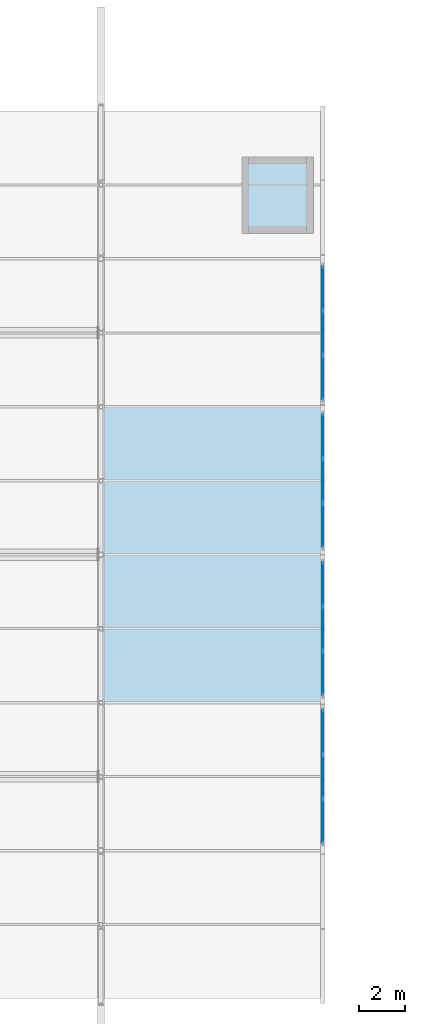
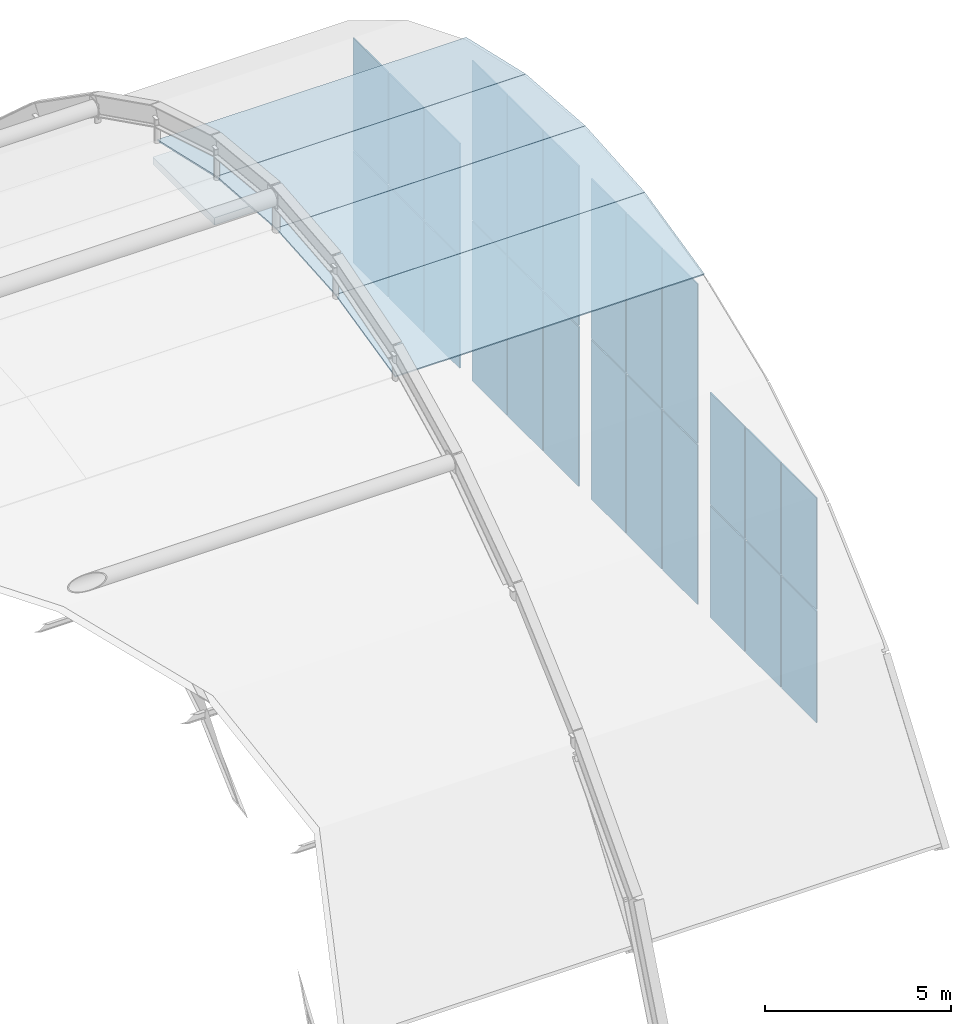
# One storey, part 109 of 126: 28 plates, 1 slab, 4 elements without a shape of their own.
"""IFC4 building model written with IfcOpenShell, lengths in metres."""

import ifcopenshell
import ifcopenshell.guid

model = None  # the IFC model being written
_history = None  # IfcOwnerHistory: only IFC2X3 demands one
_inside = {}  # id of a spatial element -> (the spatial element, [elements in it])
_under = {}  # id of a project, library or spatial element -> (it, [spatial elements below it])
_declared = {}  # id of a project -> (the project, [libraries it declares])
_typed = {}  # id of a type object -> (the type object, [elements of that type])
_made_of = {}  # id of a material, layer set ... -> (it, [elements and type objects made of it])


def new_model(schema):
    """Start an empty IFC model of exactly this schema.

    Asked for "IFC4X3", IfcOpenShell would pick the latest addendum, in which some entities
    have other attributes; the version numbers below select the first issue.
    IFC2X3 requires an IfcOwnerHistory on every rooted entity: one is made here for all.
    """
    global model, _history
    if schema == "IFC4X3":
        model = ifcopenshell.file(schema_version=(4, 3, 0, 0))
    else:
        model = ifcopenshell.file(schema=schema)
    _inside.clear()
    _under.clear()
    _declared.clear()
    _typed.clear()
    _made_of.clear()
    _history = None
    if model.schema == "IFC2X3":
        org = make("IfcOrganization", Name="unknown")
        user = make(
            "IfcPersonAndOrganization",
            ThePerson=make("IfcPerson", FamilyName="unknown"),
            TheOrganization=org,
        )
        app = make(
            "IfcApplication",
            ApplicationDeveloper=org,
            Version="unknown",
            ApplicationFullName="unknown",
            ApplicationIdentifier="unknown",
        )
        _history = make(
            "IfcOwnerHistory",
            OwningUser=user,
            OwningApplication=app,
            ChangeAction="ADDED",
            CreationDate=0,
        )
    return model


def make(cls, **values):
    """One entity of the class cls with the attributes given. An attribute that is None is left unset."""
    return model.create_entity(
        cls, **{name: value for name, value in values.items() if value is not None}
    )


def rooted(cls, **values):
    """An entity with a GlobalId (a new one), such as an element, a storey or a relation."""
    return make(cls, GlobalId=ifcopenshell.guid.new(), OwnerHistory=_history, **values)


def si_unit(unit_type, name, prefix=None):
    """IfcSIUnit, for example si_unit("LENGTHUNIT", "METRE", prefix="MILLI")."""
    return make("IfcSIUnit", UnitType=unit_type, Prefix=prefix, Name=name)


def assignment(units):
    """IfcUnitAssignment: the units of a project."""
    return None if units is None else make("IfcUnitAssignment", Units=units)


def point(xyz):
    """IfcCartesianPoint."""
    return None if xyz is None else make("IfcCartesianPoint", Coordinates=xyz)


def direction(xyz):
    """IfcDirection."""
    return None if xyz is None else make("IfcDirection", DirectionRatios=xyz)


def frame(location, z_axis=None, x_axis=None):
    """IfcAxis2Placement3D, a coordinate frame: its origin and axes. An axis left out is left unset."""
    return make(
        "IfcAxis2Placement3D",
        Location=point(location),
        Axis=direction(z_axis),
        RefDirection=direction(x_axis),
    )


def frame_2d(location, x_axis=None):
    """IfcAxis2Placement2D, a coordinate frame in the plane: its origin and x axis."""
    return make(
        "IfcAxis2Placement2D", Location=point(location), RefDirection=direction(x_axis)
    )


def origin():
    """The frame at (0, 0, 0) with its axes left unset."""
    return frame((0.0, 0.0, 0.0))


def origin_2d():
    """The frame at (0, 0) in the plane with its x axis left unset."""
    return frame_2d((0.0, 0.0))


def place(relative_to, where):
    """IfcLocalPlacement: puts the frame where relative to a parent placement (None: the world)."""
    return make(
        "IfcLocalPlacement", PlacementRelTo=relative_to, RelativePlacement=where
    )


def context(
    kind, dimensions, precision=None, world=None, true_north=None, identifier=None
):
    """IfcGeometricRepresentationContext, for example the 3D "Model" context."""
    return make(
        "IfcGeometricRepresentationContext",
        ContextIdentifier=identifier,
        ContextType=kind,
        CoordinateSpaceDimension=dimensions,
        Precision=precision,
        WorldCoordinateSystem=world,
        TrueNorth=true_north,
    )


def subcontext(parent, identifier, kind, view, scale=None):
    """IfcGeometricRepresentationSubContext, for example "Body" below "Model"."""
    return make(
        "IfcGeometricRepresentationSubContext",
        ContextIdentifier=identifier,
        ContextType=kind,
        ParentContext=parent,
        TargetScale=scale,
        TargetView=view,
    )


def project(units=None, contexts=None):
    """IfcProject with its units and contexts."""
    return rooted(
        "IfcProject",
        Name="project",
        RepresentationContexts=contexts,
        UnitsInContext=assignment(units),
    )


def spatial(cls, under=None, at=None, **own):
    """A site, building, storey or space (cls), placed at a placement, below another one or the project."""
    s = rooted(cls, ObjectPlacement=at, **own)
    if under is not None:
        _under.setdefault(under.id(), (under, []))[1].append(s)
    return s


def polyline(points):
    """IfcPolyline through the points."""
    return make("IfcPolyline", Points=[point(p) for p in points])


def profile(cls, at=None, kind="AREA", **sizes):
    """A parametric profile (cls). Its sizes go by their IFC names, for example OverallWidth=200.0."""
    return make(cls, ProfileType=kind, Position=at, **sizes)


def rectangle(**sizes):
    """IfcRectangleProfileDef."""
    return profile("IfcRectangleProfileDef", **sizes)


def outline(outer, holes=None, kind="AREA"):
    """IfcArbitraryClosedProfileDef: a profile drawn as a closed curve; with holes, ...WithVoids."""
    if holes is None:
        return make("IfcArbitraryClosedProfileDef", ProfileType=kind, OuterCurve=outer)
    return make(
        "IfcArbitraryProfileDefWithVoids",
        ProfileType=kind,
        OuterCurve=outer,
        InnerCurves=holes,
    )


def extrude(swept, where, along, depth):
    """IfcExtrudedAreaSolid: the profile swept, set in the frame where, extruded along a direction by depth."""
    return make(
        "IfcExtrudedAreaSolid",
        SweptArea=swept,
        Position=where,
        ExtrudedDirection=direction(along),
        Depth=depth,
    )


def shape(context_of_items, identifier, shape_type, items):
    """IfcShapeRepresentation: the items that make up one representation, for example the "Body"."""
    return make(
        "IfcShapeRepresentation",
        ContextOfItems=context_of_items,
        RepresentationIdentifier=identifier,
        RepresentationType=shape_type,
        Items=items,
    )


def material(Name=None, Category=None):
    """IfcMaterial."""
    return make("IfcMaterial", Name=Name, Category=Category)


def layer(
    of_material, thickness, ventilated=None, Name=None, Category=None, Priority=None
):
    """IfcMaterialLayer: one layer of a wall or slab, of a material (None: an air gap)."""
    return make(
        "IfcMaterialLayer",
        Material=of_material,
        LayerThickness=thickness,
        IsVentilated=ventilated,
        Name=Name,
        Category=Category,
        Priority=Priority,
    )


def layer_set(layers, Name=None):
    """IfcMaterialLayerSet."""
    return make("IfcMaterialLayerSet", MaterialLayers=layers, LayerSetName=Name)


def made_of(thing, what):
    """Note that an element or type object is made of a material, layer set ...; save() writes the relation."""
    if what is not None:
        _made_of.setdefault(what.id(), (what, []))[1].append(thing)
    return thing


def type_object(cls, material=None, **own):
    """A type object (cls), such as IfcWallType, which elements share."""
    return made_of(rooted(cls, **own), material)


def element(
    cls,
    number,
    at=None,
    inside=None,
    cuts=None,
    type_object=None,
    material=None,
    context=None,
    identifier="Body",
    shape_type=None,
    held_by="IfcProductDefinitionShape",
    body=None,
    shapes=None,
    **own,
):
    """One element of the class cls, such as IfcWall. Its Tag is "e" and its number.

    at: its placement. inside: the storey or other place that contains it. cuts: it is an
    opening in that element (IfcRelVoidsElement). A single representation is given by context,
    identifier, shape_type and body (its items); several are given by shapes. held_by: the class
    of the entity that holds the representations. save() writes the other relations.
    """
    e = rooted(cls, Tag="e%d" % number, ObjectPlacement=at, **own)
    if body is not None:
        shapes = [shape(context, identifier, shape_type, body)]
    if shapes is not None:
        e.Representation = make(held_by, Representations=shapes)
    if inside is not None:
        _inside.setdefault(inside.id(), (inside, []))[1].append(e)
    if cuts is not None:
        rooted(
            "IfcRelVoidsElement", RelatingBuildingElement=cuts, RelatedOpeningElement=e
        )
    if type_object is not None:
        _typed.setdefault(type_object.id(), (type_object, []))[1].append(e)
    return made_of(e, material)


def aggregate(whole, parts):
    """IfcRelAggregates: a whole, such as a stair, and the parts it consists of."""
    return rooted("IfcRelAggregates", RelatingObject=whole, RelatedObjects=parts)


def save(model, path):
    """Write the relations noted so far, then the file.

    IfcRelAggregates (storeys below a building ...), IfcRelContainedInSpatialStructure (elements
    in a storey), IfcRelDefinesByType, IfcRelAssociatesMaterial and IfcRelDeclares: one each for
    every whole, place, type object, material and project.
    """
    for whole, parts in _under.values():
        aggregate(whole, parts)
    for where, things in _inside.values():
        rooted(
            "IfcRelContainedInSpatialStructure",
            RelatedElements=things,
            RelatingStructure=where,
        )
    for kind, things in _typed.values():
        rooted("IfcRelDefinesByType", RelatedObjects=things, RelatingType=kind)
    for what, things in _made_of.values():
        rooted("IfcRelAssociatesMaterial", RelatedObjects=things, RelatingMaterial=what)
    for by, libraries in _declared.values():
        rooted("IfcRelDeclares", RelatingContext=by, RelatedDefinitions=libraries)
    model.write(path)


model = new_model("IFC4")

# Units and contexts
model_context = context("Model", 3, precision=1e-05, world=origin(), true_north=direction((0.0, 1.0)))
body_context = subcontext(model_context, "Body", "Model", "MODEL_VIEW")
ifc_project = project(units=[si_unit("LENGTHUNIT", "METRE"), si_unit("AREAUNIT", "SQUARE_METRE"), si_unit("VOLUMEUNIT", "CUBIC_METRE"), si_unit("PLANEANGLEUNIT", "RADIAN"), si_unit("MASSUNIT", "GRAM", prefix="KILO")], contexts=[model_context])

# Site, building, storey
site_placement = place(None, origin())
site = spatial("IfcSite", under=ifc_project, at=site_placement, CompositionType="ELEMENT")
building_placement = place(site_placement, origin())
building = spatial("IfcBuilding", under=site, at=building_placement, Name="Coralgate Yard Interchange", CompositionType="ELEMENT")
storey_placement = place(building_placement, frame((0.0, 0.0, 10.5)))
storey = spatial("IfcBuildingStorey", under=building, at=storey_placement, Name="L02", CompositionType="ELEMENT", Elevation=10.5)

# Curtain wall, plates
ifc_material_1 = material(Name="Anodised coastal aluminium and solar-control low-E glass", Category="aluminium")
curtain_wall_type_1 = type_object("IfcCurtainWallType", Name="CW-CW-VLT-2", PredefinedType="NOTDEFINED", material=ifc_material_1)
curtain_wall_1_placement = place(storey_placement, origin())
curtain_wall_1 = element("IfcCurtainWall", 1, at=curtain_wall_1_placement, inside=storey, type_object=curtain_wall_type_1, Name="L02 unitised curtain wall CW-VAULT-E-2", PredefinedType="NOTDEFINED")
ifc_material_2 = material(Name="Solar-control double-glazed low-E glass unit", Category="glass")
ifc_layer_1 = layer(ifc_material_2, 0.0419921875)
ifc_layer_set_1 = layer_set([ifc_layer_1], Name="Solar-control double-glazed low-E glass unit")
plate_type_1 = type_object("IfcPlateType", Name="PLT-CP-42", PredefinedType="CURTAIN_PANEL", material=ifc_layer_set_1)
plate_1_placement = place(storey_placement, frame((134.39990234375, 49.9267578125, 0.02490234375), z_axis=(0.0, 0.0, 1.0), x_axis=(0.0, -1.0, 0.0)))
plate_1 = element("IfcPlate", 2, at=plate_1_placement, type_object=plate_type_1, Name="CW-VAULT-E-2 solar-control glazing panel 1-1", PredefinedType="CURTAIN_PANEL", context=body_context, shape_type="SweptSolid", body=[
    extrude(rectangle(XDim=1.876708984375, YDim=0.0419921875, at=origin_2d()), origin(), (0.0, 0.0, 1.0), 3.666015625),
])
plate_2_placement = place(storey_placement, frame((134.39990234375, 49.9267578125, 3.740966796875), z_axis=(0.0, 0.0, 1.0), x_axis=(0.0, -1.0, 0.0)))
plate_2 = element("IfcPlate", 3, at=plate_2_placement, type_object=plate_type_1, Name="CW-VAULT-E-2 solar-control glazing panel 1-2", PredefinedType="CURTAIN_PANEL", context=body_context, shape_type="SweptSolid", body=[
    extrude(rectangle(XDim=1.876708984375, YDim=0.0419921875, at=origin_2d()), origin(), (0.0, 0.0, 1.0), 3.666015625),
])
plate_3_placement = place(storey_placement, frame((134.39990234375, 48.0, 0.02490234375), z_axis=(0.0, 0.0, 1.0), x_axis=(0.0, -1.0, 0.0)))
plate_3 = element("IfcPlate", 4, at=plate_3_placement, type_object=plate_type_1, Name="CW-VAULT-E-2 solar-control glazing panel 2-1", PredefinedType="CURTAIN_PANEL", context=body_context, shape_type="SweptSolid", body=[
    extrude(rectangle(XDim=1.876708984375, YDim=0.0419921875, at=origin_2d()), origin(), (0.0, 0.0, 1.0), 3.666015625),
])
plate_4_placement = place(storey_placement, frame((134.39990234375, 48.0, 3.740966796875), z_axis=(0.0, 0.0, 1.0), x_axis=(0.0, -1.0, 0.0)))
plate_4 = element("IfcPlate", 5, at=plate_4_placement, type_object=plate_type_1, Name="CW-VAULT-E-2 solar-control glazing panel 2-2", PredefinedType="CURTAIN_PANEL", context=body_context, shape_type="SweptSolid", body=[
    extrude(rectangle(XDim=1.876708984375, YDim=0.0419921875, at=origin_2d()), origin(), (0.0, 0.0, 1.0), 3.666015625),
])
plate_5_placement = place(storey_placement, frame((134.39990234375, 46.0732421875, 0.02490234375), z_axis=(0.0, 0.0, 1.0), x_axis=(0.0, -1.0, 0.0)))
plate_5 = element("IfcPlate", 6, at=plate_5_placement, type_object=plate_type_1, Name="CW-VAULT-E-2 solar-control glazing panel 3-1", PredefinedType="CURTAIN_PANEL", context=body_context, shape_type="SweptSolid", body=[
    extrude(rectangle(XDim=1.876708984375, YDim=0.0419921875, at=origin_2d()), origin(), (0.0, 0.0, 1.0), 3.666015625),
])
plate_6_placement = place(storey_placement, frame((134.39990234375, 46.0732421875, 3.740966796875), z_axis=(0.0, 0.0, 1.0), x_axis=(0.0, -1.0, 0.0)))
plate_6 = element("IfcPlate", 7, at=plate_6_placement, type_object=plate_type_1, Name="CW-VAULT-E-2 solar-control glazing panel 3-2", PredefinedType="CURTAIN_PANEL", context=body_context, shape_type="SweptSolid", body=[
    extrude(rectangle(XDim=1.876708984375, YDim=0.0419921875, at=origin_2d()), origin(), (0.0, 0.0, 1.0), 3.666015625),
])
aggregate(curtain_wall_1, [plate_1, plate_2, plate_3, plate_4, plate_5, plate_6])

curtain_wall_type_2 = type_object("IfcCurtainWallType", Name="CW-CW-VLT-3", PredefinedType="NOTDEFINED", material=ifc_material_1)
curtain_wall_2_placement = place(storey_placement, origin())
curtain_wall_2 = element("IfcCurtainWall", 8, at=curtain_wall_2_placement, inside=storey, type_object=curtain_wall_type_2, Name="L02 unitised curtain wall CW-VAULT-E-3", PredefinedType="NOTDEFINED")
plate_7_placement = place(storey_placement, frame((134.39990234375, 56.32666015625, 0.02490234375), z_axis=(0.0, 0.0, 1.0), x_axis=(0.0, -1.0, 0.0)))
plate_7 = element("IfcPlate", 9, at=plate_7_placement, type_object=plate_type_1, Name="CW-VAULT-E-3 solar-control glazing panel 1-1", PredefinedType="CURTAIN_PANEL", context=body_context, shape_type="SweptSolid", body=[
    extrude(rectangle(XDim=1.876708984375, YDim=0.0419921875, at=origin_2d()), origin(), (0.0, 0.0, 1.0), 5.238037109375),
])
plate_8_placement = place(storey_placement, frame((134.39990234375, 56.32666015625, 5.31298828125), z_axis=(0.0, 0.0, 1.0), x_axis=(0.0, -1.0, 0.0)))
plate_8 = element("IfcPlate", 10, at=plate_8_placement, type_object=plate_type_1, Name="CW-VAULT-E-3 solar-control glazing panel 1-2", PredefinedType="CURTAIN_PANEL", context=body_context, shape_type="SweptSolid", body=[
    extrude(rectangle(XDim=1.876708984375, YDim=0.0419921875, at=origin_2d()), origin(), (0.0, 0.0, 1.0), 5.238037109375),
])
plate_9_placement = place(storey_placement, frame((134.39990234375, 54.39990234375, 0.02490234375), z_axis=(0.0, 0.0, 1.0), x_axis=(0.0, -1.0, 0.0)))
plate_9 = element("IfcPlate", 11, at=plate_9_placement, type_object=plate_type_1, Name="CW-VAULT-E-3 solar-control glazing panel 2-1", PredefinedType="CURTAIN_PANEL", context=body_context, shape_type="SweptSolid", body=[
    extrude(rectangle(XDim=1.876708984375, YDim=0.0419921875, at=origin_2d()), origin(), (0.0, 0.0, 1.0), 5.238037109375),
])
plate_10_placement = place(storey_placement, frame((134.39990234375, 54.39990234375, 5.31298828125), z_axis=(0.0, 0.0, 1.0), x_axis=(0.0, -1.0, 0.0)))
plate_10 = element("IfcPlate", 12, at=plate_10_placement, type_object=plate_type_1, Name="CW-VAULT-E-3 solar-control glazing panel 2-2", PredefinedType="CURTAIN_PANEL", context=body_context, shape_type="SweptSolid", body=[
    extrude(rectangle(XDim=1.876708984375, YDim=0.0419921875, at=origin_2d()), origin(), (0.0, 0.0, 1.0), 5.238037109375),
])
plate_11_placement = place(storey_placement, frame((134.39990234375, 52.473388671875, 0.02490234375), z_axis=(0.0, 0.0, 1.0), x_axis=(0.0, -1.0, 0.0)))
plate_11 = element("IfcPlate", 13, at=plate_11_placement, type_object=plate_type_1, Name="CW-VAULT-E-3 solar-control glazing panel 3-1", PredefinedType="CURTAIN_PANEL", context=body_context, shape_type="SweptSolid", body=[
    extrude(rectangle(XDim=1.876708984375, YDim=0.0419921875, at=origin_2d()), origin(), (0.0, 0.0, 1.0), 5.238037109375),
])
plate_12_placement = place(storey_placement, frame((134.39990234375, 52.473388671875, 5.31298828125), z_axis=(0.0, 0.0, 1.0), x_axis=(0.0, -1.0, 0.0)))
plate_12 = element("IfcPlate", 14, at=plate_12_placement, type_object=plate_type_1, Name="CW-VAULT-E-3 solar-control glazing panel 3-2", PredefinedType="CURTAIN_PANEL", context=body_context, shape_type="SweptSolid", body=[
    extrude(rectangle(XDim=1.876708984375, YDim=0.0419921875, at=origin_2d()), origin(), (0.0, 0.0, 1.0), 5.238037109375),
])
aggregate(curtain_wall_2, [plate_7, plate_8, plate_9, plate_10, plate_11, plate_12])

curtain_wall_3_placement = place(storey_placement, origin())
curtain_wall_3 = element("IfcCurtainWall", 15, at=curtain_wall_3_placement, inside=storey, type_object=curtain_wall_type_2, Name="L02 unitised curtain wall CW-VAULT-E-4", PredefinedType="NOTDEFINED")
plate_13_placement = place(storey_placement, frame((134.39990234375, 62.7265625, 0.02490234375), z_axis=(0.0, 0.0, 1.0), x_axis=(0.0, -1.0, 0.0)))
plate_13 = element("IfcPlate", 16, at=plate_13_placement, type_object=plate_type_1, Name="CW-VAULT-E-4 solar-control glazing panel 1-1", PredefinedType="CURTAIN_PANEL", context=body_context, shape_type="SweptSolid", body=[
    extrude(rectangle(XDim=1.876708984375, YDim=0.0419921875, at=origin_2d()), origin(), (0.0, 0.0, 1.0), 5.238037109375),
])
plate_14_placement = place(storey_placement, frame((134.39990234375, 62.7265625, 5.31298828125), z_axis=(0.0, 0.0, 1.0), x_axis=(0.0, -1.0, 0.0)))
plate_14 = element("IfcPlate", 17, at=plate_14_placement, type_object=plate_type_1, Name="CW-VAULT-E-4 solar-control glazing panel 1-2", PredefinedType="CURTAIN_PANEL", context=body_context, shape_type="SweptSolid", body=[
    extrude(rectangle(XDim=1.876708984375, YDim=0.0419921875, at=origin_2d()), origin(), (0.0, 0.0, 1.0), 5.238037109375),
])
plate_15_placement = place(storey_placement, frame((134.39990234375, 60.800048828125, 0.02490234375), z_axis=(0.0, 0.0, 1.0), x_axis=(0.0, -1.0, 0.0)))
plate_15 = element("IfcPlate", 18, at=plate_15_placement, type_object=plate_type_1, Name="CW-VAULT-E-4 solar-control glazing panel 2-1", PredefinedType="CURTAIN_PANEL", context=body_context, shape_type="SweptSolid", body=[
    extrude(rectangle(XDim=1.876708984375, YDim=0.0419921875, at=origin_2d()), origin(), (0.0, 0.0, 1.0), 5.238037109375),
])
plate_16_placement = place(storey_placement, frame((134.39990234375, 60.800048828125, 5.31298828125), z_axis=(0.0, 0.0, 1.0), x_axis=(0.0, -1.0, 0.0)))
plate_16 = element("IfcPlate", 19, at=plate_16_placement, type_object=plate_type_1, Name="CW-VAULT-E-4 solar-control glazing panel 2-2", PredefinedType="CURTAIN_PANEL", context=body_context, shape_type="SweptSolid", body=[
    extrude(rectangle(XDim=1.876708984375, YDim=0.0419921875, at=origin_2d()), origin(), (0.0, 0.0, 1.0), 5.238037109375),
])
plate_17_placement = place(storey_placement, frame((134.39990234375, 58.873291015625, 0.02490234375), z_axis=(0.0, 0.0, 1.0), x_axis=(0.0, -1.0, 0.0)))
plate_17 = element("IfcPlate", 20, at=plate_17_placement, type_object=plate_type_1, Name="CW-VAULT-E-4 solar-control glazing panel 3-1", PredefinedType="CURTAIN_PANEL", context=body_context, shape_type="SweptSolid", body=[
    extrude(rectangle(XDim=1.876708984375, YDim=0.0419921875, at=origin_2d()), origin(), (0.0, 0.0, 1.0), 5.238037109375),
])
plate_18_placement = place(storey_placement, frame((134.39990234375, 58.873291015625, 5.31298828125), z_axis=(0.0, 0.0, 1.0), x_axis=(0.0, -1.0, 0.0)))
plate_18 = element("IfcPlate", 21, at=plate_18_placement, type_object=plate_type_1, Name="CW-VAULT-E-4 solar-control glazing panel 3-2", PredefinedType="CURTAIN_PANEL", context=body_context, shape_type="SweptSolid", body=[
    extrude(rectangle(XDim=1.876708984375, YDim=0.0419921875, at=origin_2d()), origin(), (0.0, 0.0, 1.0), 5.238037109375),
])
aggregate(curtain_wall_3, [plate_13, plate_14, plate_15, plate_16, plate_17, plate_18])

curtain_wall_4_placement = place(storey_placement, origin())
curtain_wall_4 = element("IfcCurtainWall", 22, at=curtain_wall_4_placement, inside=storey, type_object=curtain_wall_type_1, Name="L02 unitised curtain wall CW-VAULT-E-5", PredefinedType="NOTDEFINED")
plate_19_placement = place(storey_placement, frame((134.39990234375, 69.126708984375, 0.02490234375), z_axis=(0.0, 0.0, 1.0), x_axis=(0.0, -1.0, 0.0)))
plate_19 = element("IfcPlate", 23, at=plate_19_placement, type_object=plate_type_1, Name="CW-VAULT-E-5 solar-control glazing panel 1-1", PredefinedType="CURTAIN_PANEL", context=body_context, shape_type="SweptSolid", body=[
    extrude(rectangle(XDim=1.876708984375, YDim=0.0419921875, at=origin_2d()), origin(), (0.0, 0.0, 1.0), 3.666015625),
])
plate_20_placement = place(storey_placement, frame((134.39990234375, 69.126708984375, 3.740966796875), z_axis=(0.0, 0.0, 1.0), x_axis=(0.0, -1.0, 0.0)))
plate_20 = element("IfcPlate", 24, at=plate_20_placement, type_object=plate_type_1, Name="CW-VAULT-E-5 solar-control glazing panel 1-2", PredefinedType="CURTAIN_PANEL", context=body_context, shape_type="SweptSolid", body=[
    extrude(rectangle(XDim=1.876708984375, YDim=0.0419921875, at=origin_2d()), origin(), (0.0, 0.0, 1.0), 3.666015625),
])
plate_21_placement = place(storey_placement, frame((134.39990234375, 67.199951171875, 0.02490234375), z_axis=(0.0, 0.0, 1.0), x_axis=(0.0, -1.0, 0.0)))
plate_21 = element("IfcPlate", 25, at=plate_21_placement, type_object=plate_type_1, Name="CW-VAULT-E-5 solar-control glazing panel 2-1", PredefinedType="CURTAIN_PANEL", context=body_context, shape_type="SweptSolid", body=[
    extrude(rectangle(XDim=1.876708984375, YDim=0.0419921875, at=origin_2d()), origin(), (0.0, 0.0, 1.0), 3.666015625),
])
plate_22_placement = place(storey_placement, frame((134.39990234375, 67.199951171875, 3.740966796875), z_axis=(0.0, 0.0, 1.0), x_axis=(0.0, -1.0, 0.0)))
plate_22 = element("IfcPlate", 26, at=plate_22_placement, type_object=plate_type_1, Name="CW-VAULT-E-5 solar-control glazing panel 2-2", PredefinedType="CURTAIN_PANEL", context=body_context, shape_type="SweptSolid", body=[
    extrude(rectangle(XDim=1.876708984375, YDim=0.0419921875, at=origin_2d()), origin(), (0.0, 0.0, 1.0), 3.666015625),
])
plate_23_placement = place(storey_placement, frame((134.39990234375, 65.2734375, 0.02490234375), z_axis=(0.0, 0.0, 1.0), x_axis=(0.0, -1.0, 0.0)))
plate_23 = element("IfcPlate", 27, at=plate_23_placement, type_object=plate_type_1, Name="CW-VAULT-E-5 solar-control glazing panel 3-1", PredefinedType="CURTAIN_PANEL", context=body_context, shape_type="SweptSolid", body=[
    extrude(rectangle(XDim=1.876708984375, YDim=0.0419921875, at=origin_2d()), origin(), (0.0, 0.0, 1.0), 3.666015625),
])
plate_24_placement = place(storey_placement, frame((134.39990234375, 65.2734375, 3.740966796875), z_axis=(0.0, 0.0, 1.0), x_axis=(0.0, -1.0, 0.0)))
plate_24 = element("IfcPlate", 28, at=plate_24_placement, type_object=plate_type_1, Name="CW-VAULT-E-5 solar-control glazing panel 3-2", PredefinedType="CURTAIN_PANEL", context=body_context, shape_type="SweptSolid", body=[
    extrude(rectangle(XDim=1.876708984375, YDim=0.0419921875, at=origin_2d()), origin(), (0.0, 0.0, 1.0), 3.666015625),
])
aggregate(curtain_wall_4, [plate_19, plate_20, plate_21, plate_22, plate_23, plate_24])

# Plates
ifc_material_3 = material(Name="Insulated solar-control laminated glass", Category="glass")
ifc_layer_2 = layer(ifc_material_3, 0.048095703125)
ifc_layer_set_2 = layer_set([ifc_layer_2], Name="Insulated solar-control laminated glass")
plate_type_2 = type_object("IfcPlateType", Name="PLT-VP-48", PredefinedType="SHEET", material=ifc_layer_set_2)
plate_25_placement = place(storey_placement, frame((129.60009765625, 52.805419921875, 11.414306640625), z_axis=(0.0, -0.223916275908, 0.9746083836), x_axis=(1.0, 0.0, 0.0)))
element("IfcPlate", 29, at=plate_25_placement, inside=storey, type_object=plate_type_2, Name="Vault crown skylight panel 10-5", PredefinedType="SHEET", context=body_context, shape_type="SweptSolid", body=[
    extrude(rectangle(XDim=9.60009765625, YDim=3.283447265625, at=origin_2d()), origin(), (0.0, 0.0, 1.0), 0.048095703125),
])
for number, where, z_axis, x_axis, name in (
    (30, (129.60009765625, 56.001708984375, 11.901123046875), (0.0, -0.074635004965, 0.997210918529), (1.0, 0.0, 0.0), "Vault crown skylight panel 10-6"),
    (31, (129.60009765625, 59.1982421875, 11.901123046875), (0.0, 0.074635004965, 0.997210918529), (1.0, 0.0, 0.0), "Vault crown skylight panel 10-7"),
):
    element("IfcPlate", number, at=place(storey_placement, frame(where, z_axis=z_axis, x_axis=x_axis)), inside=storey, type_object=plate_type_2, Name=name, PredefinedType="SHEET", context=body_context, shape_type="SweptSolid", body=[
        extrude(rectangle(XDim=9.60009765625, YDim=3.208984375, at=origin_2d()), origin(), (0.0, 0.0, 1.0), 0.048095703125),
    ])
plate_26_placement = place(storey_placement, frame((129.60009765625, 62.39453125, 11.414306640625), z_axis=(0.0, 0.223916275908, 0.9746083836), x_axis=(1.0, 0.0, 0.0)))
element("IfcPlate", 32, at=plate_26_placement, inside=storey, type_object=plate_type_2, Name="Vault crown skylight panel 10-8", PredefinedType="SHEET", context=body_context, shape_type="SweptSolid", body=[
    extrude(rectangle(XDim=9.60009765625, YDim=3.283447265625, at=origin_2d()), origin(), (0.0, 0.0, 1.0), 0.048095703125),
])

# Slab
ifc_material_4 = material(Name="Concrete C40/50", Category="concrete")
ifc_layer_3 = layer(ifc_material_4, 0.239990234375)
ifc_layer_set_3 = layer_set([ifc_layer_3], Name="Concrete C40/50")
slab_type = type_object("IfcSlabType", Name="SLB-CAP240", PredefinedType="ROOF", material=ifc_layer_set_3)
slab_placement = place(storey_placement, frame((0.0, 0.0, 1.60009765625)))
element("IfcSlab", 33, at=slab_placement, inside=storey, type_object=slab_type, Name="LF-05 lift overrun roof slab", PredefinedType="ROOF", context=body_context, shape_type="SweptSolid", body=[
    extrude(outline(polyline([(130.89990234375, 71.5), (134.0, 71.5), (134.0, 74.800048828125), (130.89990234375, 74.800048828125), (130.89990234375, 71.5)])), origin(), (0.0, 0.0, 1.0), 0.239990234375),
])

save(model, "model.ifc")
